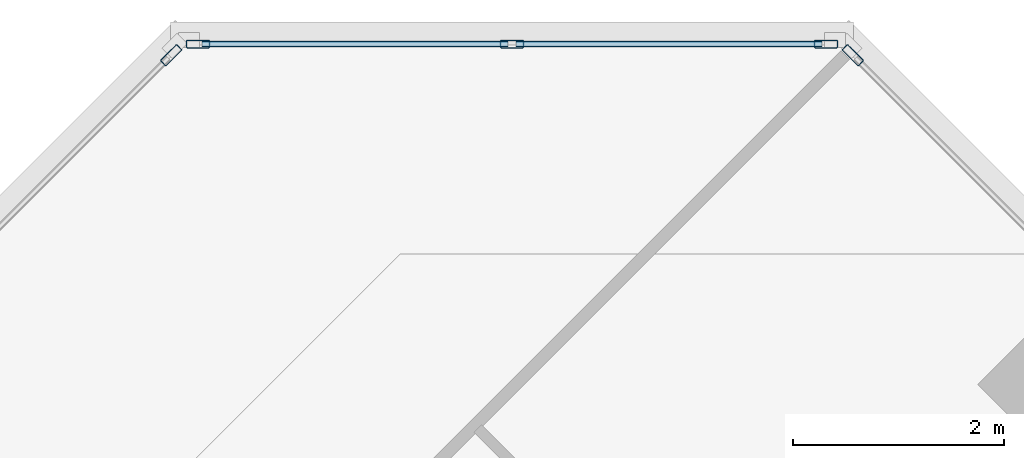
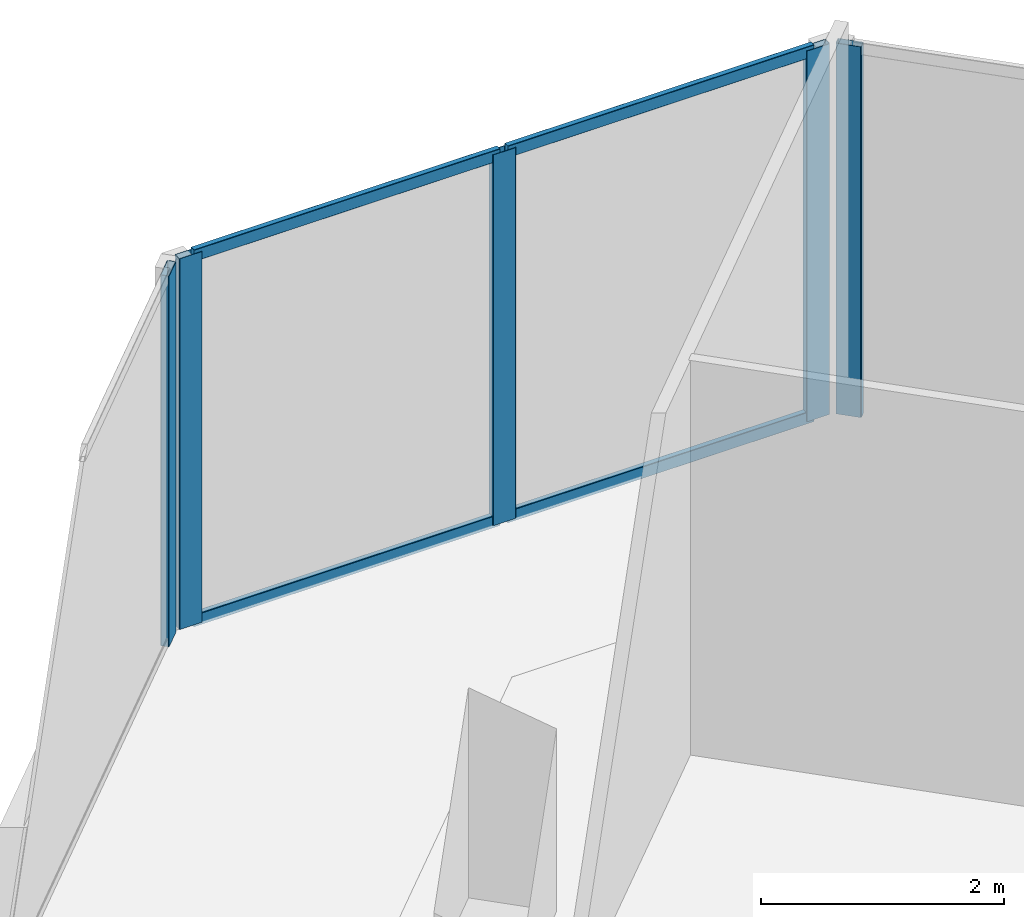
# One storey, part 11 of 18: 9 members, 3 elements without a shape of their own.
"""IFC4 building model written with IfcOpenShell, lengths in metres."""

from ifc_helpers import new_model, si_unit, direction, frame, origin, origin_2d, place, context, subcontext, project, spatial, hollow_rectangle, extrude, source, transform, mapped, material, material_profile, profile_set, type_object, element, aggregate, save


model = new_model("IFC4")

# Units and contexts
model_context = context("Model", 3, precision=1e-05, world=origin(), true_north=direction((0.0, 1.0)))
body_context = subcontext(model_context, "Body", "Model", "MODEL_VIEW")
ifc_project = project(units=[si_unit("LENGTHUNIT", "METRE"), si_unit("AREAUNIT", "SQUARE_METRE"), si_unit("VOLUMEUNIT", "CUBIC_METRE"), si_unit("PLANEANGLEUNIT", "RADIAN"), si_unit("MASSUNIT", "GRAM", prefix="KILO")], contexts=[model_context])

# Site, building, storey
site_placement = place(None, origin())
site = spatial("IfcSite", under=ifc_project, at=site_placement, CompositionType="ELEMENT")
building_placement = place(site_placement, origin())
building = spatial("IfcBuilding", under=site, at=building_placement, Name="Torre Montelarca", CompositionType="ELEMENT")
storey_placement = place(building_placement, frame((0.0, 0.0, 245.800048828125)))
storey = spatial("IfcBuildingStorey", under=building, at=storey_placement, Name="L55", CompositionType="ELEMENT", Elevation=245.800048828125)

# Curtain wall, member
ifc_material_1 = material(Name="Insulated low-E laminated glass", Category="glass")
curtain_wall_type = type_object("IfcCurtainWallType", Name="CW-SYS-Z3", PredefinedType="USERDEFINED", material=ifc_material_1)
curtain_wall_1_placement = place(storey_placement, origin())
curtain_wall_1 = element("IfcCurtainWall", 1, at=curtain_wall_1_placement, inside=storey, type_object=curtain_wall_type, Name="L55 Curtain Wall Run CW-T3-L55-E08-B1", ObjectType="UNITISED GLAZING", PredefinedType="USERDEFINED")
ifc_material_2 = material(Name="Anodised aluminium AA 6063-T6", Category="aluminium")
ifc_material_profile_1 = material_profile(ifc_material_2, hollow_rectangle(XDim=0.074951171875, YDim=0.219970703125, WallThickness=0.0048828125, InnerFilletRadius=0.0048828125, OuterFilletRadius=0.010009765625, at=origin_2d()), Name="ALU75X220X5", Category="aluminium")
ifc_profile_set_1 = profile_set([ifc_material_profile_1], Name="Anodised aluminium AA 6063-T6")
member_type_1 = type_object("IfcMemberType", Name="CWM-ALU220", PredefinedType="MULLION", material=ifc_profile_set_1)
shared_shape_1 = source(origin(), body_context, "Body", "SweptSolid", [
    extrude(hollow_rectangle(XDim=0.074951171875, YDim=0.219970703125, WallThickness=0.0048828125, InnerFilletRadius=0.0048828125, OuterFilletRadius=0.010009765625, at=origin_2d()), origin(), (0.0, 0.0, 1.0), 3.719970703125),
])
member_1_placement = place(storey_placement, frame((21.552001953125, 54.674560546875, 0.0), z_axis=(0.0, 0.0, 1.0), x_axis=(-0.707108307056, -0.707105255314, 0.0)))
member_1 = element("IfcMember", 2, at=member_1_placement, type_object=member_type_1, Name="CW mullion 3", PredefinedType="MULLION", context=body_context, shape_type="MappedRepresentation", body=[
    mapped(shared_shape_1, transform((0.0, 0.0, 0.0), scale=1.0)),
])
aggregate(curtain_wall_1, [member_1])

# Curtain wall, members
curtain_wall_2_placement = place(storey_placement, origin())
curtain_wall_2 = element("IfcCurtainWall", 3, at=curtain_wall_2_placement, inside=storey, type_object=curtain_wall_type, Name="L55 Curtain Wall Run CW-T3-L55-E09-B1", ObjectType="UNITISED GLAZING", PredefinedType="USERDEFINED")
member_2_placement = place(storey_placement, frame((21.296630859375, 54.7802734375, 0.0), z_axis=(0.0, 0.0, 1.0), x_axis=(0.0, -1.0, 0.0)))
member_2 = element("IfcMember", 4, at=member_2_placement, type_object=member_type_1, Name="CW mullion 1", PredefinedType="MULLION", context=body_context, shape_type="MappedRepresentation", body=[
    mapped(shared_shape_1, transform((0.0, 0.0, 0.0), scale=1.0)),
])
member_3_placement = place(storey_placement, frame((18.318115234375, 54.7802734375, 0.0), z_axis=(0.0, 0.0, 1.0), x_axis=(0.0, -1.0, 0.0)))
member_3 = element("IfcMember", 5, at=member_3_placement, type_object=member_type_1, Name="CW mullion 2", PredefinedType="MULLION", context=body_context, shape_type="MappedRepresentation", body=[
    mapped(shared_shape_1, transform((0.0, 0.0, 0.0), scale=1.0)),
])
member_4_placement = place(storey_placement, frame((15.33935546875, 54.7802734375, 0.0), z_axis=(0.0, 0.0, 1.0), x_axis=(0.0, -1.0, 0.0)))
member_4 = element("IfcMember", 6, at=member_4_placement, type_object=member_type_1, Name="CW mullion 3", PredefinedType="MULLION", context=body_context, shape_type="MappedRepresentation", body=[
    mapped(shared_shape_1, transform((0.0, 0.0, 0.0), scale=1.0)),
])

# Curtain wall, member
curtain_wall_3_placement = place(storey_placement, origin())
curtain_wall_3 = element("IfcCurtainWall", 7, at=curtain_wall_3_placement, inside=storey, type_object=curtain_wall_type, Name="L55 Curtain Wall Run CW-T3-L55-E10-B1", ObjectType="UNITISED GLAZING", PredefinedType="USERDEFINED")
member_5_placement = place(storey_placement, frame((15.083984375, 54.674560546875, 0.0), z_axis=(0.0, 0.0, 1.0), x_axis=(0.707108775742, -0.707104786625, 0.0)))
member_5 = element("IfcMember", 8, at=member_5_placement, type_object=member_type_1, Name="CW mullion 1", PredefinedType="MULLION", context=body_context, shape_type="MappedRepresentation", body=[
    mapped(shared_shape_1, transform((0.0, 0.0, 0.0), scale=1.0)),
])
aggregate(curtain_wall_3, [member_5])

# Member
ifc_material_profile_2 = material_profile(ifc_material_2, hollow_rectangle(XDim=0.054931640625, YDim=0.1201171875, WallThickness=0.00341796875, InnerFilletRadius=0.00341796875, OuterFilletRadius=0.007080078125, at=origin_2d()), Name="ALU55X120X3.5", Category="aluminium")
ifc_profile_set_2 = profile_set([ifc_material_profile_2], Name="Anodised aluminium AA 6063-T6")
member_type_2 = type_object("IfcMemberType", Name="CWT-ALU120", PredefinedType="USERDEFINED", material=ifc_profile_set_2)
shared_shape_2 = source(origin(), body_context, "Body", "SweptSolid", [
    extrude(hollow_rectangle(XDim=0.054931640625, YDim=0.1201171875, WallThickness=0.00341796875, InnerFilletRadius=0.00341796875, OuterFilletRadius=0.007080078125, at=origin_2d()), origin(), (0.0, 0.0, 1.0), 2.90380859375),
])
member_6_placement = place(storey_placement, frame((21.25927734375, 54.7802734375, 0.02734375), z_axis=(-1.0, 0.0, 0.0), x_axis=(0.0, -1.0, 0.0)))
member_6 = element("IfcMember", 9, at=member_6_placement, type_object=member_type_2, Name="CW transom 1.1", ObjectType="TRANSOM", PredefinedType="USERDEFINED", context=body_context, shape_type="MappedRepresentation", body=[
    mapped(shared_shape_2, transform((0.0, 0.0, 0.0), scale=1.0)),
])

member_7_placement = place(storey_placement, frame((21.25927734375, 54.7802734375, 3.6923828125), z_axis=(-1.0, 0.0, 0.0), x_axis=(0.0, -1.0, 0.0)))
member_7 = element("IfcMember", 10, at=member_7_placement, type_object=member_type_2, Name="CW transom 1.2", ObjectType="TRANSOM", PredefinedType="USERDEFINED", context=body_context, shape_type="MappedRepresentation", body=[
    mapped(shared_shape_2, transform((0.0, 0.0, 0.0), scale=1.0)),
])

member_8_placement = place(storey_placement, frame((18.280517578125, 54.7802734375, 0.02734375), z_axis=(-1.0, 0.0, 0.0), x_axis=(0.0, -1.0, 0.0)))
member_8 = element("IfcMember", 11, at=member_8_placement, type_object=member_type_2, Name="CW transom 2.1", ObjectType="TRANSOM", PredefinedType="USERDEFINED", context=body_context, shape_type="MappedRepresentation", body=[
    mapped(shared_shape_2, transform((0.0, 0.0, 0.0), scale=1.0)),
])

member_9_placement = place(storey_placement, frame((18.280517578125, 54.7802734375, 3.6923828125), z_axis=(-1.0, 0.0, 0.0), x_axis=(0.0, -1.0, 0.0)))
member_9 = element("IfcMember", 12, at=member_9_placement, type_object=member_type_2, Name="CW transom 2.2", ObjectType="TRANSOM", PredefinedType="USERDEFINED", context=body_context, shape_type="MappedRepresentation", body=[
    mapped(shared_shape_2, transform((0.0, 0.0, 0.0), scale=1.0)),
])

aggregate(curtain_wall_2, [member_2, member_3, member_4, member_6, member_7, member_8, member_9])

save(model, "model.ifc")
